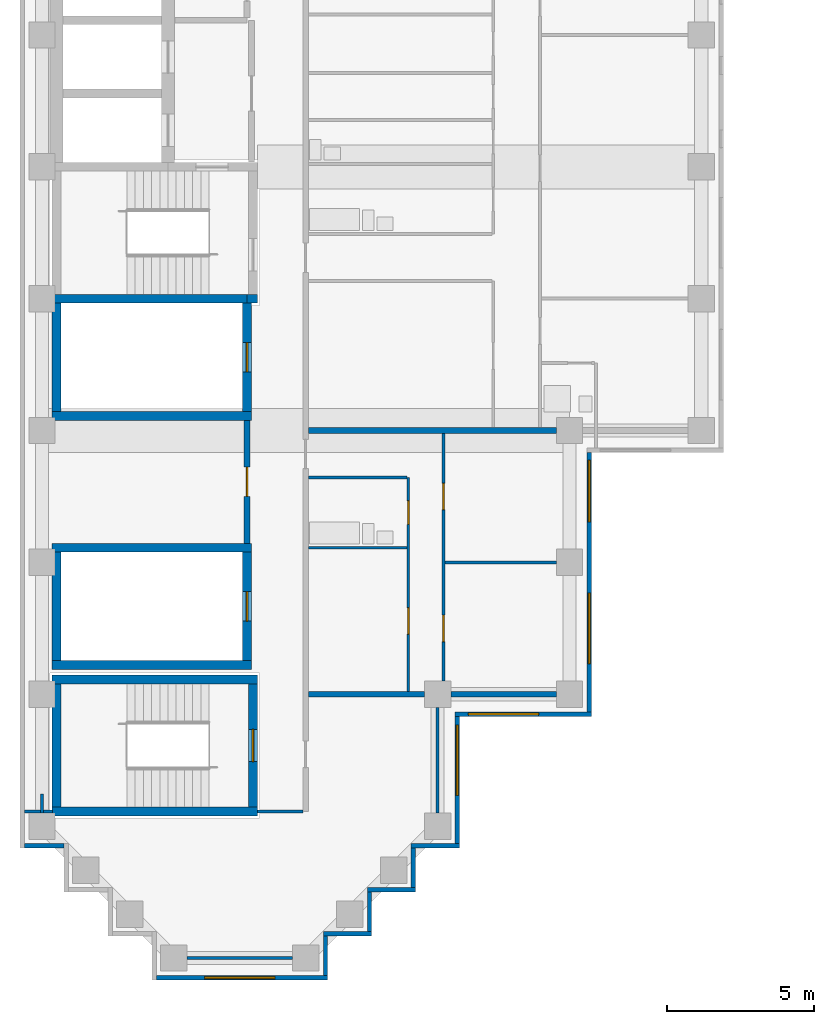
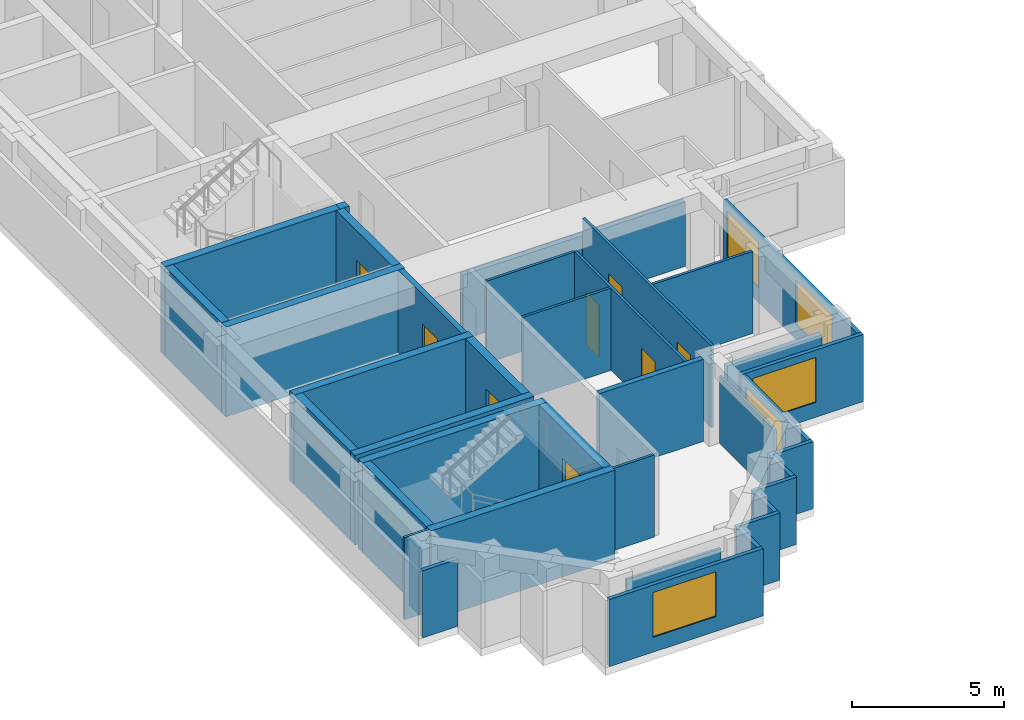
# One storey, part 2 of 10: 38 walls, 8 doors, 5 windows, 13 openings.
"""IFC4 building model written with IfcOpenShell, lengths in metres."""

from ifc_helpers import new_model, si_unit, direction, frame, frame_2d, origin, place, context, subcontext, project, spatial, rectangle, extrude, material, layer, layer_set, type_object, element, fill, save


model = new_model("IFC4")

# Units and contexts
model_context = context("Model", 3, precision=1e-05, world=origin(), true_north=direction((0.0, 1.0)))
body_context = subcontext(model_context, "Body", "Model", "MODEL_VIEW")
ifc_project = project(units=[si_unit("LENGTHUNIT", "METRE"), si_unit("AREAUNIT", "SQUARE_METRE"), si_unit("VOLUMEUNIT", "CUBIC_METRE"), si_unit("PLANEANGLEUNIT", "RADIAN"), si_unit("MASSUNIT", "GRAM", prefix="KILO")], contexts=[model_context])

# Site, building, storey
site_placement = place(None, origin())
site = spatial("IfcSite", under=ifc_project, at=site_placement, CompositionType="ELEMENT")
building_placement = place(site_placement, origin())
building = spatial("IfcBuilding", under=site, at=building_placement, Name="Firuza Court", CompositionType="ELEMENT")
storey_placement = place(building_placement, frame((0.0, 0.0, 200.60009765625)))
storey = spatial("IfcBuildingStorey", under=building, at=storey_placement, Name="L51", CompositionType="ELEMENT", Elevation=200.60009765625)

# Walls
ifc_material_1 = material(Name="Moisture-resistant gypsum board partition")
ifc_layer_1 = layer(ifc_material_1, 0.10009765625)
ifc_layer_set_1 = layer_set([ifc_layer_1], Name="Moisture-resistant gypsum board partition")
wall_type_1 = type_object("IfcWallType", Name="Bathroom partition 100", PredefinedType="PLUMBINGWALL", material=ifc_layer_set_1)
for number, where, z_axis, x_axis, name in (
    (1, (9.10009765625, 14.0, 0.0), (0.0, 0.0, 1.0), (1.0, 0.0, 0.0), "Bathroom partition 100 L51"),
    (2, (9.10009765625, 16.39990234375, 0.0), (0.0, 0.0, 1.0), (1.0, 0.0, 0.0), "Bathroom partition 100 L51"),
):
    element("IfcWall", number, at=place(storey_placement, frame(where, z_axis=z_axis, x_axis=x_axis)), inside=storey, type_object=wall_type_1, Name=name, PredefinedType="PLUMBINGWALL", context=body_context, shape_type="SweptSolid", body=[
        extrude(rectangle(XDim=3.349853515625, YDim=0.10009765625, at=frame_2d((1.6748046875, 0.0))), origin(), (0.0, 0.0, 1.0), 3.2998046875),
    ])
ifc_material_2 = material(Name="Concrete C50/60", Category="concrete")
ifc_layer_2 = layer(ifc_material_2, 0.300048828125)
ifc_layer_set_2 = layer_set([ifc_layer_2], Name="Concrete C50/60")
wall_type_2 = type_object("IfcWallType", Name="Core wall 300 C50/60", PredefinedType="SHEAR", material=ifc_layer_set_2)
for number, where, z_axis, x_axis, name in (
    (3, (0.35009765625, 5.0, -0.300048828125), (0.0, 0.0, 1.0), (1.0, 0.0, 0.0), "Core wall stair L51"),
    (4, (0.35009765625, 9.5, -0.300048828125), (0.0, 0.0, 1.0), (1.0, 0.0, 0.0), "Core wall stair L51"),
):
    element("IfcWall", number, at=place(storey_placement, frame(where, z_axis=z_axis, x_axis=x_axis)), inside=storey, type_object=wall_type_2, Name=name, PredefinedType="SHEAR", context=body_context, shape_type="SweptSolid", body=[
        extrude(rectangle(XDim=7.0, YDim=0.300048828125, at=frame_2d((3.5, 0.0))), origin(), (0.0, 0.0, 1.0), 3.599853515625),
    ])
for number, where, z_axis, x_axis, name in (
    (5, (0.35009765625, 10.0, -0.300048828125), (0.0, 0.0, 1.0), (1.0, 0.0, 0.0), "Core wall riser L51"),
    (6, (0.35009765625, 14.0, -0.300048828125), (0.0, 0.0, 1.0), (1.0, 0.0, 0.0), "Core wall riser L51"),
    (7, (0.35009765625, 18.5, -0.300048828125), (0.0, 0.0, 1.0), (1.0, 0.0, 0.0), "Core wall riser L51"),
):
    element("IfcWall", number, at=place(storey_placement, frame(where, z_axis=z_axis, x_axis=x_axis)), inside=storey, type_object=wall_type_2, Name=name, PredefinedType="SHEAR", context=body_context, shape_type="SweptSolid", body=[
        extrude(rectangle(XDim=6.7998046875, YDim=0.300048828125, at=frame_2d((3.39990234375, 0.0))), origin(), (0.0, 0.0, 1.0), 3.599853515625),
    ])
wall_1_placement = place(storey_placement, frame((0.35009765625, 22.5, -0.300048828125), z_axis=(0.0, 0.0, 1.0), x_axis=(1.0, 0.0, 0.0)))
element("IfcWall", 8, at=wall_1_placement, inside=storey, type_object=wall_type_2, Name="Core wall riser L51", PredefinedType="SHEAR", context=body_context, shape_type="SweptSolid", body=[
    extrude(rectangle(XDim=6.64990234375, YDim=0.300048828125, at=frame_2d((3.324951171875, 0.0))), origin(), (0.0, 0.0, 1.0), 3.599853515625),
])
wall_2_placement = place(storey_placement, frame((0.5, 5.14990234375, -0.300048828125), z_axis=(0.0, 0.0, 1.0), x_axis=(0.0, 1.0, 0.0)))
element("IfcWall", 9, at=wall_2_placement, inside=storey, type_object=wall_type_2, Name="Core wall stair L51", PredefinedType="SHEAR", context=body_context, shape_type="SweptSolid", body=[
    extrude(rectangle(XDim=4.2001953125, YDim=0.300048828125, at=frame_2d((2.10009765625, 0.0))), origin(), (0.0, 0.0, 1.0), 3.599853515625),
])
for number, where, z_axis, x_axis, name in (
    (10, (0.5, 10.14990234375, -0.300048828125), (0.0, 0.0, 1.0), (0.0, 1.0, 0.0), "Core wall riser L51"),
    (11, (0.5, 18.64990234375, -0.300048828125), (0.0, 0.0, 1.0), (0.0, 1.0, 0.0), "Core wall riser L51"),
):
    element("IfcWall", number, at=place(storey_placement, frame(where, z_axis=z_axis, x_axis=x_axis)), inside=storey, type_object=wall_type_2, Name=name, PredefinedType="SHEAR", context=body_context, shape_type="SweptSolid", body=[
        extrude(rectangle(XDim=3.7001953125, YDim=0.300048828125, at=frame_2d((1.85009765625, 0.0))), origin(), (0.0, 0.0, 1.0), 3.599853515625),
    ])

# Wall, opening, door
wall_3_placement = place(storey_placement, frame((7.0, 10.14990234375, -0.300048828125), z_axis=(0.0, 0.0, 1.0), x_axis=(0.0, 1.0, 0.0)))
wall_3 = element("IfcWall", 12, at=wall_3_placement, inside=storey, type_object=wall_type_2, Name="Core wall riser L51", PredefinedType="SHEAR", context=body_context, shape_type="SweptSolid", body=[
    extrude(rectangle(XDim=3.7001953125, YDim=0.300048828125, at=frame_2d((1.85009765625, 0.0))), origin(), (0.0, 0.0, 1.0), 3.599853515625),
])
opening_1_placement = place(wall_3_placement, frame((1.35009765625, 0.0, 0.300048828125)))
opening_1 = element("IfcOpeningElement", 13, at=opening_1_placement, cuts=wall_3, Name="Opening D51010", PredefinedType="OPENING", context=body_context, shape_type="SweptSolid", body=[
    extrude(rectangle(XDim=1.0, YDim=2.10009765625, at=frame_2d((0.5, 1.050048828125))), frame((0.0, 0.162109375, 0.0), z_axis=(0.0, -1.0, 0.0), x_axis=(1.0, 0.0, 0.0)), (0.0, 0.0, 1.0), 0.323974609375),
])
ifc_material_3 = material(Name="Timber door leaf in hardwood frame", Category="wood")
door_type_1 = type_object("IfcDoorType", Name="Riser door 1000", OperationType="SINGLE_SWING_LEFT", PredefinedType="DOOR", material=ifc_material_3)
door_1_placement = place(opening_1_placement, origin())
door_1 = element("IfcDoor", 14, at=door_1_placement, inside=storey, type_object=door_type_1, Name="Riser door R4", OperationType="SINGLE_SWING_LEFT", OverallHeight=2.10009765625, OverallWidth=1.0, PredefinedType="DOOR", context=body_context, shape_type="SweptSolid", body=[
    extrude(rectangle(XDim=1.0, YDim=2.10009765625, at=frame_2d((0.5, 1.050048828125))), frame((0.0, 0.02490234375, 0.0), z_axis=(0.0, -1.0, 0.0), x_axis=(1.0, 0.0, 0.0)), (0.0, 0.0, 1.0), 0.050048828125),
])
fill(opening_1, door_1)

wall_4_placement = place(storey_placement, frame((7.0, 18.64990234375, -0.300048828125), z_axis=(0.0, 0.0, 1.0), x_axis=(0.0, 1.0, 0.0)))
wall_4 = element("IfcWall", 15, at=wall_4_placement, inside=storey, type_object=wall_type_2, Name="Core wall riser L51", PredefinedType="SHEAR", context=body_context, shape_type="SweptSolid", body=[
    extrude(rectangle(XDim=3.7001953125, YDim=0.300048828125, at=frame_2d((1.85009765625, 0.0))), origin(), (0.0, 0.0, 1.0), 3.599853515625),
])
opening_2_placement = place(wall_4_placement, frame((1.35009765625, 0.0, 0.300048828125)))
opening_2 = element("IfcOpeningElement", 16, at=opening_2_placement, cuts=wall_4, Name="Opening D51008", PredefinedType="OPENING", context=body_context, shape_type="SweptSolid", body=[
    extrude(rectangle(XDim=1.0, YDim=2.10009765625, at=frame_2d((0.5, 1.050048828125))), frame((0.0, 0.162109375, 0.0), z_axis=(0.0, -1.0, 0.0), x_axis=(1.0, 0.0, 0.0)), (0.0, 0.0, 1.0), 0.323974609375),
])
door_2_placement = place(opening_2_placement, origin())
door_2 = element("IfcDoor", 17, at=door_2_placement, inside=storey, type_object=door_type_1, Name="Riser door R1", OperationType="SINGLE_SWING_LEFT", OverallHeight=2.10009765625, OverallWidth=1.0, PredefinedType="DOOR", context=body_context, shape_type="SweptSolid", body=[
    extrude(rectangle(XDim=1.0, YDim=2.10009765625, at=frame_2d((0.5, 1.050048828125))), frame((0.0, 0.02490234375, 0.0), z_axis=(0.0, -1.0, 0.0), x_axis=(1.0, 0.0, 0.0)), (0.0, 0.0, 1.0), 0.050048828125),
])
fill(opening_2, door_2)

# Wall
wall_5_placement = place(storey_placement, frame((7.0, 22.5, -0.300048828125), z_axis=(0.0, 0.0, 1.0), x_axis=(1.0, 0.0, 0.0)))
element("IfcWall", 18, at=wall_5_placement, inside=storey, type_object=wall_type_2, Name="Core wall stair L51", PredefinedType="SHEAR", context=body_context, shape_type="SweptSolid", body=[
    extrude(rectangle(XDim=0.35009765625, YDim=0.300048828125, at=frame_2d((0.175048828125, 0.0))), origin(), (0.0, 0.0, 1.0), 3.599853515625),
])

# Wall, opening, door
wall_6_placement = place(storey_placement, frame((7.199951171875, 5.14990234375, -0.300048828125), z_axis=(0.0, 0.0, 1.0), x_axis=(0.0, 1.0, 0.0)))
wall_6 = element("IfcWall", 19, at=wall_6_placement, inside=storey, type_object=wall_type_2, Name="Core wall stair L51", PredefinedType="SHEAR", context=body_context, shape_type="SweptSolid", body=[
    extrude(rectangle(XDim=4.2001953125, YDim=0.300048828125, at=frame_2d((2.10009765625, 0.0))), origin(), (0.0, 0.0, 1.0), 3.599853515625),
])
opening_3_placement = place(wall_6_placement, frame((1.550048828125, 0.0, 0.300048828125)))
opening_3 = element("IfcOpeningElement", 20, at=opening_3_placement, cuts=wall_6, Name="Opening D51015", PredefinedType="OPENING", context=body_context, shape_type="SweptSolid", body=[
    extrude(rectangle(XDim=1.10009765625, YDim=2.10009765625, at=frame_2d((0.550048828125, 1.050048828125))), frame((0.0, 0.162109375, 0.0), z_axis=(0.0, -1.0, 0.0), x_axis=(1.0, 0.0, 0.0)), (0.0, 0.0, 1.0), 0.323974609375),
])
ifc_material_4 = material(Name="Timber door leaf in hardwood frame", Category="wood")
door_type_2 = type_object("IfcDoorType", Name="Stair door 1100", OperationType="SINGLE_SWING_LEFT", PredefinedType="DOOR", material=ifc_material_4)
door_3_placement = place(opening_3_placement, origin())
door_3 = element("IfcDoor", 21, at=door_3_placement, inside=storey, type_object=door_type_2, Name="Stair door S5", OperationType="SINGLE_SWING_LEFT", OverallHeight=2.10009765625, OverallWidth=1.10009765625, PredefinedType="DOOR", context=body_context, shape_type="SweptSolid", body=[
    extrude(rectangle(XDim=1.10009765625, YDim=2.10009765625, at=frame_2d((0.550048828125, 1.050048828125))), frame((0.0, 0.02490234375, 0.0), z_axis=(0.0, -1.0, 0.0), x_axis=(1.0, 0.0, 0.0)), (0.0, 0.0, 1.0), 0.050048828125),
])
fill(opening_3, door_3)

ifc_material_5 = material(Name="Blockwork, plastered both sides", Category="masonry")
ifc_layer_3 = layer(ifc_material_5, 0.199951171875)
ifc_layer_set_3 = layer_set([ifc_layer_3], Name="Blockwork, plastered both sides")
wall_type_3 = type_object("IfcWallType", Name="Corridor wall 200", PredefinedType="PARTITIONING", material=ifc_layer_set_3)
wall_7_placement = place(storey_placement, frame((7.0, 14.14990234375, 0.0), z_axis=(0.0, 0.0, 1.0), x_axis=(0.0, 1.0, 0.0)))
wall_7 = element("IfcWall", 22, at=wall_7_placement, inside=storey, type_object=wall_type_3, Name="Corridor wall 200 L51", PredefinedType="PARTITIONING", context=body_context, shape_type="SweptSolid", body=[
    extrude(rectangle(XDim=4.2001953125, YDim=0.199951171875, at=frame_2d((2.10009765625, 0.0))), origin(), (0.0, 0.0, 1.0), 3.2998046875),
])
opening_4_placement = place(wall_7_placement, frame((1.60009765625, 0.0, 0.0)))
opening_4 = element("IfcOpeningElement", 23, at=opening_4_placement, cuts=wall_7, Name="Opening D51023", PredefinedType="OPENING", context=body_context, shape_type="SweptSolid", body=[
    extrude(rectangle(XDim=1.0, YDim=2.10009765625, at=frame_2d((0.5, 1.050048828125))), frame((0.0, 0.11181640625, 0.0), z_axis=(0.0, -1.0, 0.0), x_axis=(1.0, 0.0, 0.0)), (0.0, 0.0, 1.0), 0.223876953125),
])
ifc_material_6 = material(Name="Timber door leaf in hardwood frame", Category="wood")
door_type_3 = type_object("IfcDoorType", Name="Store door 1000", OperationType="SINGLE_SWING_LEFT", PredefinedType="DOOR", material=ifc_material_6)
door_4_placement = place(opening_4_placement, origin())
door_4 = element("IfcDoor", 24, at=door_4_placement, inside=storey, type_object=door_type_3, Name="Parcel room door", OperationType="SINGLE_SWING_LEFT", OverallHeight=2.10009765625, OverallWidth=1.0, PredefinedType="DOOR", context=body_context, shape_type="SweptSolid", body=[
    extrude(rectangle(XDim=1.0, YDim=2.10009765625, at=frame_2d((0.5, 1.050048828125))), frame((0.0, 0.02490234375, 0.0), z_axis=(0.0, -1.0, 0.0), x_axis=(1.0, 0.0, 0.0)), (0.0, 0.0, 1.0), 0.050048828125),
])
fill(opening_4, door_4)

# Walls
ifc_material_7 = material(Name="Timber stud partition, plasterboard both sides", Category="wood")
ifc_layer_4 = layer(ifc_material_7, 0.10009765625)
ifc_layer_set_4 = layer_set([ifc_layer_4], Name="Timber stud partition, plasterboard both sides")
wall_type_4 = type_object("IfcWallType", Name="Partition wall 100", PredefinedType="PARTITIONING", material=ifc_layer_set_4)
wall_8_placement = place(storey_placement, frame((4.949951171875, 0.0, 0.0), z_axis=(0.0, 0.0, 1.0), x_axis=(1.0, 0.0, 0.0)))
element("IfcWall", 25, at=wall_8_placement, inside=storey, type_object=wall_type_4, Name="Partition wall 100 L51", PredefinedType="PARTITIONING", context=body_context, shape_type="SweptSolid", body=[
    extrude(rectangle(XDim=3.60009765625, YDim=0.10009765625, at=frame_2d((1.800048828125, 0.0))), origin(), (0.0, 0.0, 1.0), 2.699951171875),
])
wall_9_placement = place(storey_placement, frame((0.0, 4.949951171875, 0.0), z_axis=(0.0, 0.0, 1.0), x_axis=(0.0, 1.0, 0.0)))
element("IfcWall", 26, at=wall_9_placement, inside=storey, type_object=wall_type_4, Name="Partition wall 100 L51", PredefinedType="PARTITIONING", context=body_context, shape_type="SweptSolid", body=[
    extrude(rectangle(XDim=0.650146484375, YDim=0.10009765625, at=frame_2d((0.3251953125, 0.0))), origin(), (0.0, 0.0, 1.0), 2.699951171875),
])
wall_10_placement = place(storey_placement, frame((13.5, 4.949951171875, 0.0), z_axis=(0.0, 0.0, 1.0), x_axis=(0.0, 1.0, 0.0)))
element("IfcWall", 27, at=wall_10_placement, inside=storey, type_object=wall_type_4, Name="Partition wall 100 L51", PredefinedType="PARTITIONING", context=body_context, shape_type="SweptSolid", body=[
    extrude(rectangle(XDim=3.60009765625, YDim=0.10009765625, at=frame_2d((1.800048828125, 0.0))), origin(), (0.0, 0.0, 1.0), 2.699951171875),
])
wall_11_placement = place(storey_placement, frame((-0.60009765625, 5.0, 0.0), z_axis=(0.0, 0.0, 1.0), x_axis=(1.0, 0.0, 0.0)))
element("IfcWall", 28, at=wall_11_placement, inside=storey, type_object=wall_type_4, Name="Partition wall 100 L51", PredefinedType="PARTITIONING", context=body_context, shape_type="SweptSolid", body=[
    extrude(rectangle(XDim=0.951171875, YDim=0.10009765625, at=frame_2d((0.4755859375, 0.0))), origin(), (0.0, 0.0, 1.0), 3.2998046875),
])
wall_12_placement = place(storey_placement, frame((7.34912109375, 5.0, 0.0), z_axis=(0.0, 0.0, 1.0), x_axis=(1.0, 0.0, 0.0)))
element("IfcWall", 29, at=wall_12_placement, inside=storey, type_object=wall_type_4, Name="Partition wall 100 L51", PredefinedType="PARTITIONING", context=body_context, shape_type="SweptSolid", body=[
    extrude(rectangle(XDim=1.55078125, YDim=0.10009765625, at=frame_2d((0.775390625, 0.0))), origin(), (0.0, 0.0, 1.0), 3.2998046875),
])

# Wall, openings, doors
wall_13_placement = place(storey_placement, frame((12.5, 9.10009765625, 0.0), z_axis=(0.0, 0.0, 1.0), x_axis=(0.0, 1.0, 0.0)))
wall_13 = element("IfcWall", 30, at=wall_13_placement, inside=storey, type_object=wall_type_4, Name="Partition wall 100 L51", PredefinedType="PARTITIONING", context=body_context, shape_type="SweptSolid", body=[
    extrude(rectangle(XDim=7.2998046875, YDim=0.10009765625, at=frame_2d((3.64990234375, 0.0))), origin(), (0.0, 0.0, 1.0), 3.2998046875),
])
opening_5_placement = place(wall_13_placement, frame((5.699951171875, 0.0, 0.0)))
opening_5 = element("IfcOpeningElement", 31, at=opening_5_placement, cuts=wall_13, Name="Opening D51019", PredefinedType="OPENING", context=body_context, shape_type="SweptSolid", body=[
    extrude(rectangle(XDim=0.800048828125, YDim=2.10009765625, at=frame_2d((0.39990234375, 1.050048828125))), frame((0.0, 0.06201171875, 0.0), z_axis=(0.0, -1.0, 0.0), x_axis=(1.0, 0.0, 0.0)), (0.0, 0.0, 1.0), 0.1240234375),
])
opening_6_placement = place(wall_13_placement, frame((1.949951171875, 0.0, 0.0)))
opening_6 = element("IfcOpeningElement", 32, at=opening_6_placement, cuts=wall_13, Name="Opening D51020", PredefinedType="OPENING", context=body_context, shape_type="SweptSolid", body=[
    extrude(rectangle(XDim=0.89990234375, YDim=2.10009765625, at=frame_2d((0.449951171875, 1.050048828125))), frame((0.0, 0.06201171875, 0.0), z_axis=(0.0, -1.0, 0.0), x_axis=(1.0, 0.0, 0.0)), (0.0, 0.0, 1.0), 0.1240234375),
])
ifc_material_8 = material(Name="Timber door leaf in hardwood frame", Category="wood")
door_type_4 = type_object("IfcDoorType", Name="Bathroom door 800", OperationType="SINGLE_SWING_LEFT", PredefinedType="DOOR", material=ifc_material_8)
door_5_placement = place(opening_5_placement, origin())
door_5 = element("IfcDoor", 33, at=door_5_placement, inside=storey, type_object=door_type_4, Name="Bathroom door", OperationType="SINGLE_SWING_LEFT", OverallHeight=2.10009765625, OverallWidth=0.800048828125, PredefinedType="DOOR", context=body_context, shape_type="SweptSolid", body=[
    extrude(rectangle(XDim=0.800048828125, YDim=2.10009765625, at=frame_2d((0.39990234375, 1.050048828125))), frame((0.0, 0.02490234375, 0.0), z_axis=(0.0, -1.0, 0.0), x_axis=(1.0, 0.0, 0.0)), (0.0, 0.0, 1.0), 0.050048828125),
])
fill(opening_5, door_5)
ifc_material_9 = material(Name="Timber door leaf in hardwood frame", Category="wood")
door_type_5 = type_object("IfcDoorType", Name="Room door 900", OperationType="SINGLE_SWING_LEFT", PredefinedType="DOOR", material=ifc_material_9)
door_6_placement = place(opening_6_placement, origin())
door_6 = element("IfcDoor", 34, at=door_6_placement, inside=storey, type_object=door_type_5, Name="Kitchen door", OperationType="SINGLE_SWING_LEFT", OverallHeight=2.10009765625, OverallWidth=0.89990234375, PredefinedType="DOOR", context=body_context, shape_type="SweptSolid", body=[
    extrude(rectangle(XDim=0.89990234375, YDim=2.10009765625, at=frame_2d((0.449951171875, 1.050048828125))), frame((0.0, 0.02490234375, 0.0), z_axis=(0.0, -1.0, 0.0), x_axis=(1.0, 0.0, 0.0)), (0.0, 0.0, 1.0), 0.050048828125),
])
fill(opening_6, door_6)

wall_14_placement = place(storey_placement, frame((13.699951171875, 9.449951171875, 0.0), z_axis=(0.0, 0.0, 1.0), x_axis=(0.0, 1.0, 0.0)))
wall_14 = element("IfcWall", 35, at=wall_14_placement, inside=storey, type_object=wall_type_4, Name="Partition wall 100 L51", PredefinedType="PARTITIONING", context=body_context, shape_type="SweptSolid", body=[
    extrude(rectangle(XDim=8.449951171875, YDim=0.10009765625, at=frame_2d((4.22509765625, 0.0))), origin(), (0.0, 0.0, 1.0), 3.2998046875),
])
opening_7_placement = place(wall_14_placement, frame((1.35009765625, 0.0, 0.0)))
opening_7 = element("IfcOpeningElement", 36, at=opening_7_placement, cuts=wall_14, Name="Opening D51021", PredefinedType="OPENING", context=body_context, shape_type="SweptSolid", body=[
    extrude(rectangle(XDim=0.89990234375, YDim=2.10009765625, at=frame_2d((0.449951171875, 1.050048828125))), frame((0.0, 0.06201171875, 0.0), z_axis=(0.0, -1.0, 0.0), x_axis=(1.0, 0.0, 0.0)), (0.0, 0.0, 1.0), 0.1240234375),
])
opening_8_placement = place(wall_14_placement, frame((5.85009765625, 0.0, 0.0)))
opening_8 = element("IfcOpeningElement", 37, at=opening_8_placement, cuts=wall_14, Name="Opening D51022", PredefinedType="OPENING", context=body_context, shape_type="SweptSolid", body=[
    extrude(rectangle(XDim=0.89990234375, YDim=2.10009765625, at=frame_2d((0.449951171875, 1.050048828125))), frame((0.0, 0.06201171875, 0.0), z_axis=(0.0, -1.0, 0.0), x_axis=(1.0, 0.0, 0.0)), (0.0, 0.0, 1.0), 0.1240234375),
])
door_7_placement = place(opening_7_placement, frame((0.89990234375, 0.0, 0.0), z_axis=(0.0, 0.0, 1.0), x_axis=(-1.0, 0.0, 0.0)))
door_7 = element("IfcDoor", 38, at=door_7_placement, inside=storey, type_object=door_type_5, Name="Bedroom door", OperationType="SINGLE_SWING_RIGHT", OverallHeight=2.10009765625, OverallWidth=0.89990234375, PredefinedType="DOOR", context=body_context, shape_type="SweptSolid", body=[
    extrude(rectangle(XDim=0.89990234375, YDim=2.10009765625, at=frame_2d((0.449951171875, 1.050048828125))), frame((0.0, 0.02490234375, 0.0), z_axis=(0.0, -1.0, 0.0), x_axis=(1.0, 0.0, 0.0)), (0.0, 0.0, 1.0), 0.050048828125),
])
fill(opening_7, door_7)
door_8_placement = place(opening_8_placement, frame((0.89990234375, 0.0, 0.0), z_axis=(0.0, 0.0, 1.0), x_axis=(-1.0, 0.0, 0.0)))
door_8 = element("IfcDoor", 39, at=door_8_placement, inside=storey, type_object=door_type_5, Name="Living room door", OperationType="SINGLE_SWING_RIGHT", OverallHeight=2.10009765625, OverallWidth=0.89990234375, PredefinedType="DOOR", context=body_context, shape_type="SweptSolid", body=[
    extrude(rectangle(XDim=0.89990234375, YDim=2.10009765625, at=frame_2d((0.449951171875, 1.050048828125))), frame((0.0, 0.02490234375, 0.0), z_axis=(0.0, -1.0, 0.0), x_axis=(1.0, 0.0, 0.0)), (0.0, 0.0, 1.0), 0.050048828125),
])
fill(opening_8, door_8)

# Walls
wall_15_placement = place(storey_placement, frame((13.75, 13.5, 0.0), z_axis=(0.0, 0.0, 1.0), x_axis=(1.0, 0.0, 0.0)))
element("IfcWall", 40, at=wall_15_placement, inside=storey, type_object=wall_type_4, Name="Partition wall 100 L51", PredefinedType="PARTITIONING", context=body_context, shape_type="SweptSolid", body=[
    extrude(rectangle(XDim=3.800048828125, YDim=0.10009765625, at=frame_2d((1.89990234375, 0.0))), origin(), (0.0, 0.0, 1.0), 3.2998046875),
])
ifc_layer_5 = layer(ifc_material_5, 0.199951171875)
ifc_layer_set_5 = layer_set([ifc_layer_5], Name="Blockwork, plastered both sides")
wall_type_5 = type_object("IfcWallType", Name="Party wall 200", PredefinedType="PARTITIONING", material=ifc_layer_set_5)
wall_16_placement = place(storey_placement, frame((9.10009765625, 9.0, 0.0), z_axis=(0.0, 0.0, 1.0), x_axis=(1.0, 0.0, 0.0)))
element("IfcWall", 41, at=wall_16_placement, inside=storey, type_object=wall_type_5, Name="Party wall 200 L51", PredefinedType="PARTITIONING", context=body_context, shape_type="SweptSolid", body=[
    extrude(rectangle(XDim=3.949951171875, YDim=0.199951171875, at=frame_2d((1.97509765625, 0.0))), origin(), (0.0, 0.0, 1.0), 3.2998046875),
])
wall_17_placement = place(storey_placement, frame((13.949951171875, 9.0, 0.0), z_axis=(0.0, 0.0, 1.0), x_axis=(1.0, 0.0, 0.0)))
element("IfcWall", 42, at=wall_17_placement, inside=storey, type_object=wall_type_5, Name="Party wall 200 L51", PredefinedType="PARTITIONING", context=body_context, shape_type="SweptSolid", body=[
    extrude(rectangle(XDim=3.60009765625, YDim=0.199951171875, at=frame_2d((1.800048828125, 0.0))), origin(), (0.0, 0.0, 1.0), 2.699951171875),
])
wall_18_placement = place(storey_placement, frame((9.10009765625, 18.0, 0.0), z_axis=(0.0, 0.0, 1.0), x_axis=(1.0, 0.0, 0.0)))
element("IfcWall", 43, at=wall_18_placement, inside=storey, type_object=wall_type_5, Name="Party wall 200 L51", PredefinedType="PARTITIONING", context=body_context, shape_type="SweptSolid", body=[
    extrude(rectangle(XDim=8.449951171875, YDim=0.199951171875, at=frame_2d((4.22509765625, 0.0))), origin(), (0.0, 0.0, 1.0), 2.599853515625),
])
ifc_material_10 = material(Name="Ceramic tile", Category="ceramic")
ifc_layer_6 = layer(ifc_material_10, 0.02001953125)
ifc_material_11 = material(Name="Mineral wool insulation", Category="insulation")
ifc_layer_7 = layer(ifc_material_11, 0.050048828125)
ifc_material_12 = material(Name="Concrete C40/50 precast", Category="concrete")
ifc_layer_8 = layer(ifc_material_12, 0.080078125)
ifc_layer_set_6 = layer_set([ifc_layer_6, ifc_layer_7, ifc_layer_8], Name="Concrete C40/50 precast")
wall_type_6 = type_object("IfcWallType", Name="Precast cladding wall with turquoise TILE PANEL face 150", PredefinedType="STANDARD", material=ifc_layer_set_6)
wall_19_placement = place(storey_placement, frame((-0.60009765625, 3.824951171875, 0.0), z_axis=(0.0, 0.0, 1.0), x_axis=(1.0, 0.0, 0.0)))
element("IfcWall", 44, at=wall_19_placement, inside=storey, type_object=wall_type_6, Name="Facade wall L51 S", PredefinedType="STANDARD", context=body_context, shape_type="SweptSolid", body=[
    extrude(rectangle(XDim=1.35009765625, YDim=0.14990234375, at=frame_2d((0.675048828125, 0.0))), origin(), (0.0, 0.0, 1.0), 2.699951171875),
])

# Wall, opening, window
wall_20_placement = place(storey_placement, frame((3.89990234375, -0.675048828125, 0.0), z_axis=(0.0, 0.0, 1.0), x_axis=(1.0, 0.0, 0.0)))
wall_20 = element("IfcWall", 45, at=wall_20_placement, inside=storey, type_object=wall_type_6, Name="Facade wall L51 S", PredefinedType="STANDARD", context=body_context, shape_type="SweptSolid", body=[
    extrude(rectangle(XDim=5.85009765625, YDim=0.14990234375, at=frame_2d((2.925048828125, 0.0))), origin(), (0.0, 0.0, 1.0), 2.699951171875),
])
opening_9_placement = place(wall_20_placement, frame((1.64990234375, 0.0, 0.60009765625)))
opening_9 = element("IfcOpeningElement", 46, at=opening_9_placement, cuts=wall_20, Name="Opening W1", PredefinedType="OPENING", context=body_context, shape_type="SweptSolid", body=[
    extrude(rectangle(XDim=2.39990234375, YDim=1.800048828125, at=frame_2d((1.199951171875, 0.89990234375))), frame((0.0, 0.0869140625, 0.0), z_axis=(0.0, -1.0, 0.0), x_axis=(1.0, 0.0, 0.0)), (0.0, 0.0, 1.0), 0.173828125),
])
ifc_material_13 = material(Name="Aluminium frame, triple clear glazing", Category="aluminium")
window_type_1 = type_object("IfcWindowType", Name="Window W1 2400 x 1800", PartitioningType="SINGLE_PANEL", PredefinedType="WINDOW", material=ifc_material_13)
window_1_placement = place(opening_9_placement, origin())
window_1 = element("IfcWindow", 47, at=window_1_placement, inside=storey, type_object=window_type_1, Name="Window L51", OverallHeight=1.800048828125, OverallWidth=2.39990234375, PartitioningType="SINGLE_PANEL", PredefinedType="WINDOW", context=body_context, shape_type="SweptSolid", body=[
    extrude(rectangle(XDim=2.39990234375, YDim=1.800048828125, at=frame_2d((1.199951171875, 0.89990234375))), frame((0.0, 0.030029296875, 0.0), z_axis=(0.0, -1.0, 0.0), x_axis=(1.0, 0.0, 0.0)), (0.0, 0.0, 1.0), 0.06005859375),
])
fill(opening_9, window_1)

# Walls
wall_21_placement = place(storey_placement, frame((9.675048828125, -0.60009765625, 0.0), z_axis=(0.0, 0.0, 1.0), x_axis=(0.0, 1.0, 0.0)))
element("IfcWall", 48, at=wall_21_placement, inside=storey, type_object=wall_type_6, Name="Facade wall L51 E", PredefinedType="STANDARD", context=body_context, shape_type="SweptSolid", body=[
    extrude(rectangle(XDim=1.35009765625, YDim=0.14990234375, at=frame_2d((0.675048828125, 0.0))), origin(), (0.0, 0.0, 1.0), 2.699951171875),
])
wall_22_placement = place(storey_placement, frame((9.60009765625, 0.824951171875, 0.0), z_axis=(0.0, 0.0, 1.0), x_axis=(1.0, 0.0, 0.0)))
element("IfcWall", 49, at=wall_22_placement, inside=storey, type_object=wall_type_6, Name="Facade wall L51 S", PredefinedType="STANDARD", context=body_context, shape_type="SweptSolid", body=[
    extrude(rectangle(XDim=1.64990234375, YDim=0.14990234375, at=frame_2d((0.824951171875, 0.0))), origin(), (0.0, 0.0, 1.0), 2.699951171875),
])
wall_23_placement = place(storey_placement, frame((11.175048828125, 0.89990234375, 0.0), z_axis=(0.0, 0.0, 1.0), x_axis=(0.0, 1.0, 0.0)))
element("IfcWall", 50, at=wall_23_placement, inside=storey, type_object=wall_type_6, Name="Facade wall L51 E", PredefinedType="STANDARD", context=body_context, shape_type="SweptSolid", body=[
    extrude(rectangle(XDim=1.35009765625, YDim=0.14990234375, at=frame_2d((0.675048828125, 0.0))), origin(), (0.0, 0.0, 1.0), 2.699951171875),
])
wall_24_placement = place(storey_placement, frame((11.10009765625, 2.324951171875, 0.0), z_axis=(0.0, 0.0, 1.0), x_axis=(1.0, 0.0, 0.0)))
element("IfcWall", 51, at=wall_24_placement, inside=storey, type_object=wall_type_6, Name="Facade wall L51 S", PredefinedType="STANDARD", context=body_context, shape_type="SweptSolid", body=[
    extrude(rectangle(XDim=1.64990234375, YDim=0.14990234375, at=frame_2d((0.824951171875, 0.0))), origin(), (0.0, 0.0, 1.0), 2.699951171875),
])
wall_25_placement = place(storey_placement, frame((12.675048828125, 2.39990234375, 0.0), z_axis=(0.0, 0.0, 1.0), x_axis=(0.0, 1.0, 0.0)))
element("IfcWall", 52, at=wall_25_placement, inside=storey, type_object=wall_type_6, Name="Facade wall L51 E", PredefinedType="STANDARD", context=body_context, shape_type="SweptSolid", body=[
    extrude(rectangle(XDim=1.35009765625, YDim=0.14990234375, at=frame_2d((0.675048828125, 0.0))), origin(), (0.0, 0.0, 1.0), 2.699951171875),
])
wall_26_placement = place(storey_placement, frame((12.60009765625, 3.824951171875, 0.0), z_axis=(0.0, 0.0, 1.0), x_axis=(1.0, 0.0, 0.0)))
element("IfcWall", 53, at=wall_26_placement, inside=storey, type_object=wall_type_6, Name="Facade wall L51 S", PredefinedType="STANDARD", context=body_context, shape_type="SweptSolid", body=[
    extrude(rectangle(XDim=1.64990234375, YDim=0.14990234375, at=frame_2d((0.824951171875, 0.0))), origin(), (0.0, 0.0, 1.0), 2.699951171875),
])

# Wall, opening, window
wall_27_placement = place(storey_placement, frame((14.175048828125, 3.89990234375, 0.0), z_axis=(0.0, 0.0, 1.0), x_axis=(0.0, 1.0, 0.0)))
wall_27 = element("IfcWall", 54, at=wall_27_placement, inside=storey, type_object=wall_type_6, Name="Facade wall L51 E", PredefinedType="STANDARD", context=body_context, shape_type="SweptSolid", body=[
    extrude(rectangle(XDim=4.35009765625, YDim=0.14990234375, at=frame_2d((2.175048828125, 0.0))), origin(), (0.0, 0.0, 1.0), 2.699951171875),
])
opening_10_placement = place(wall_27_placement, frame((1.64990234375, 0.0, 0.60009765625)))
opening_10 = element("IfcOpeningElement", 55, at=opening_10_placement, cuts=wall_27, Name="Opening W1", PredefinedType="OPENING", context=body_context, shape_type="SweptSolid", body=[
    extrude(rectangle(XDim=2.39990234375, YDim=1.800048828125, at=frame_2d((1.199951171875, 0.89990234375))), frame((0.0, 0.0869140625, 0.0), z_axis=(0.0, -1.0, 0.0), x_axis=(1.0, 0.0, 0.0)), (0.0, 0.0, 1.0), 0.173828125),
])
window_2_placement = place(opening_10_placement, origin())
window_2 = element("IfcWindow", 56, at=window_2_placement, inside=storey, type_object=window_type_1, Name="Window L51", OverallHeight=1.800048828125, OverallWidth=2.39990234375, PartitioningType="SINGLE_PANEL", PredefinedType="WINDOW", context=body_context, shape_type="SweptSolid", body=[
    extrude(rectangle(XDim=2.39990234375, YDim=1.800048828125, at=frame_2d((1.199951171875, 0.89990234375))), frame((0.0, 0.030029296875, 0.0), z_axis=(0.0, -1.0, 0.0), x_axis=(1.0, 0.0, 0.0)), (0.0, 0.0, 1.0), 0.06005859375),
])
fill(opening_10, window_2)

wall_28_placement = place(storey_placement, frame((14.10009765625, 8.324951171875, 0.0), z_axis=(0.0, 0.0, 1.0), x_axis=(1.0, 0.0, 0.0)))
wall_28 = element("IfcWall", 57, at=wall_28_placement, inside=storey, type_object=wall_type_6, Name="Facade wall L51 S", PredefinedType="STANDARD", context=body_context, shape_type="SweptSolid", body=[
    extrude(rectangle(XDim=4.64990234375, YDim=0.14990234375, at=frame_2d((2.324951171875, 0.0))), origin(), (0.0, 0.0, 1.0), 2.699951171875),
])
opening_11_placement = place(wall_28_placement, frame((0.449951171875, 0.0, 0.60009765625)))
opening_11 = element("IfcOpeningElement", 58, at=opening_11_placement, cuts=wall_28, Name="Opening W1", PredefinedType="OPENING", context=body_context, shape_type="SweptSolid", body=[
    extrude(rectangle(XDim=2.39990234375, YDim=1.800048828125, at=frame_2d((1.199951171875, 0.89990234375))), frame((0.0, 0.0869140625, 0.0), z_axis=(0.0, -1.0, 0.0), x_axis=(1.0, 0.0, 0.0)), (0.0, 0.0, 1.0), 0.173828125),
])
window_3_placement = place(opening_11_placement, origin())
window_3 = element("IfcWindow", 59, at=window_3_placement, inside=storey, type_object=window_type_1, Name="Window L51", OverallHeight=1.800048828125, OverallWidth=2.39990234375, PartitioningType="SINGLE_PANEL", PredefinedType="WINDOW", context=body_context, shape_type="SweptSolid", body=[
    extrude(rectangle(XDim=2.39990234375, YDim=1.800048828125, at=frame_2d((1.199951171875, 0.89990234375))), frame((0.0, 0.030029296875, 0.0), z_axis=(0.0, -1.0, 0.0), x_axis=(1.0, 0.0, 0.0)), (0.0, 0.0, 1.0), 0.06005859375),
])
fill(opening_11, window_3)

# Wall, openings, windows
wall_29_placement = place(storey_placement, frame((18.675048828125, 8.39990234375, 0.0), z_axis=(0.0, 0.0, 1.0), x_axis=(0.0, 1.0, 0.0)))
wall_29 = element("IfcWall", 60, at=wall_29_placement, inside=storey, type_object=wall_type_6, Name="Facade wall L51 E", PredefinedType="STANDARD", context=body_context, shape_type="SweptSolid", body=[
    extrude(rectangle(XDim=8.85009765625, YDim=0.14990234375, at=frame_2d((4.425048828125, 0.0))), origin(), (0.0, 0.0, 1.0), 2.699951171875),
])
opening_12_placement = place(wall_29_placement, frame((1.64990234375, 0.0, 0.60009765625)))
opening_12 = element("IfcOpeningElement", 61, at=opening_12_placement, cuts=wall_29, Name="Opening W1", PredefinedType="OPENING", context=body_context, shape_type="SweptSolid", body=[
    extrude(rectangle(XDim=2.39990234375, YDim=1.800048828125, at=frame_2d((1.199951171875, 0.89990234375))), frame((0.0, 0.0869140625, 0.0), z_axis=(0.0, -1.0, 0.0), x_axis=(1.0, 0.0, 0.0)), (0.0, 0.0, 1.0), 0.173828125),
])
opening_13_placement = place(wall_29_placement, frame((6.48291015625, 0.0, 0.60009765625)))
opening_13 = element("IfcOpeningElement", 62, at=opening_13_placement, cuts=wall_29, Name="Opening W6", PredefinedType="OPENING", context=body_context, shape_type="SweptSolid", body=[
    extrude(rectangle(XDim=2.10009765625, YDim=1.800048828125, at=frame_2d((1.050048828125, 0.89990234375))), frame((0.0, 0.0869140625, 0.0), z_axis=(0.0, -1.0, 0.0), x_axis=(1.0, 0.0, 0.0)), (0.0, 0.0, 1.0), 0.173828125),
])
window_4_placement = place(opening_12_placement, origin())
window_4 = element("IfcWindow", 63, at=window_4_placement, inside=storey, type_object=window_type_1, Name="Window L51", OverallHeight=1.800048828125, OverallWidth=2.39990234375, PartitioningType="SINGLE_PANEL", PredefinedType="WINDOW", context=body_context, shape_type="SweptSolid", body=[
    extrude(rectangle(XDim=2.39990234375, YDim=1.800048828125, at=frame_2d((1.199951171875, 0.89990234375))), frame((0.0, 0.030029296875, 0.0), z_axis=(0.0, -1.0, 0.0), x_axis=(1.0, 0.0, 0.0)), (0.0, 0.0, 1.0), 0.06005859375),
])
fill(opening_12, window_4)
ifc_material_14 = material(Name="Aluminium frame, triple clear glazing", Category="aluminium")
window_type_2 = type_object("IfcWindowType", Name="Window W6 2100 x 1800", PartitioningType="SINGLE_PANEL", PredefinedType="WINDOW", material=ifc_material_14)
window_5_placement = place(opening_13_placement, origin())
window_5 = element("IfcWindow", 64, at=window_5_placement, inside=storey, type_object=window_type_2, Name="Window L51", OverallHeight=1.800048828125, OverallWidth=2.10009765625, PartitioningType="SINGLE_PANEL", PredefinedType="WINDOW", context=body_context, shape_type="SweptSolid", body=[
    extrude(rectangle(XDim=2.10009765625, YDim=1.800048828125, at=frame_2d((1.050048828125, 0.89990234375))), frame((0.0, 0.030029296875, 0.0), z_axis=(0.0, -1.0, 0.0), x_axis=(1.0, 0.0, 0.0)), (0.0, 0.0, 1.0), 0.06005859375),
])
fill(opening_13, window_5)

save(model, "model.ifc")
